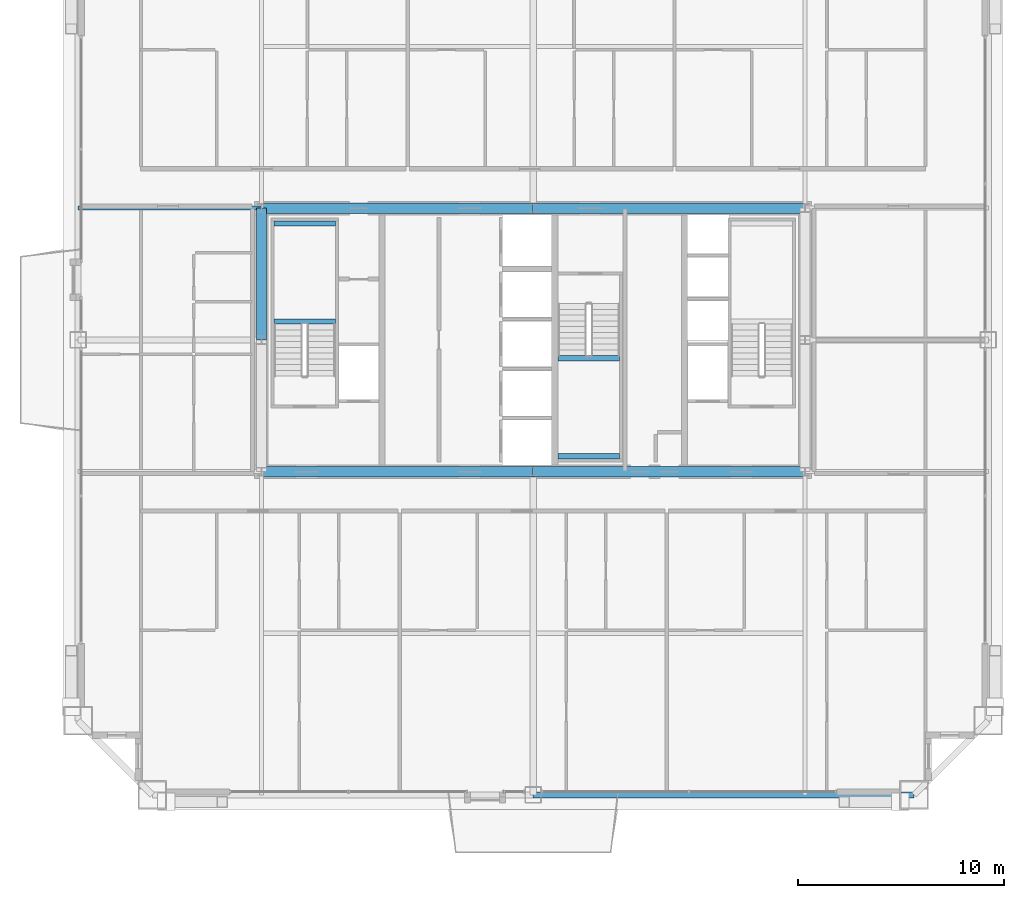
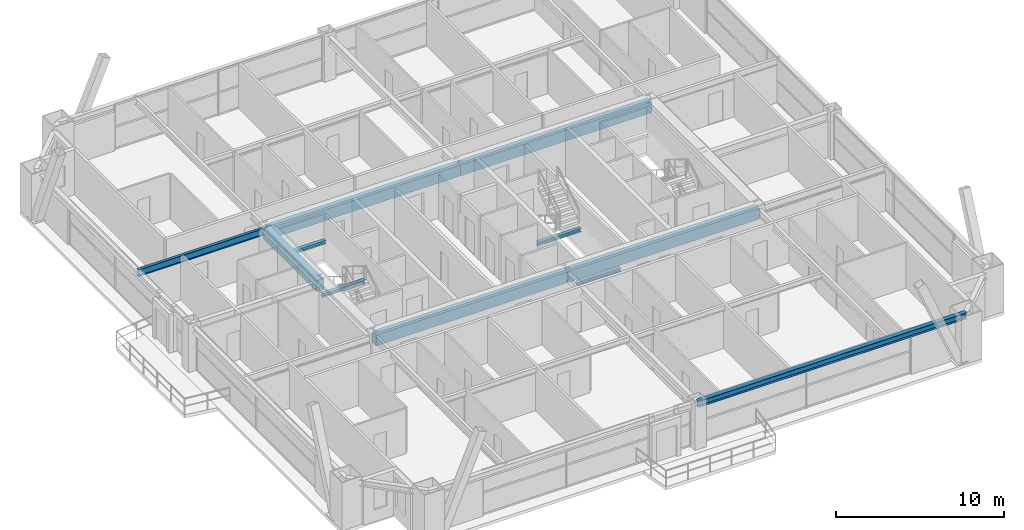
# One storey, part 14 of 42: 11 beams.
"""IFC4 building model written with IfcOpenShell, lengths in metres."""

from ifc_helpers import new_model, si_unit, direction, frame, origin, origin_2d, place, context, subcontext, project, spatial, rectangle, i_section, extrude, source, transform, mapped, material, material_profile, profile_set, type_object, element, save


model = new_model("IFC4")

# Units and contexts
model_context = context("Model", 3, precision=1e-05, world=origin(), true_north=direction((0.0, 1.0)))
body_context = subcontext(model_context, "Body", "Model", "MODEL_VIEW")
ifc_project = project(units=[si_unit("LENGTHUNIT", "METRE"), si_unit("AREAUNIT", "SQUARE_METRE"), si_unit("VOLUMEUNIT", "CUBIC_METRE"), si_unit("PLANEANGLEUNIT", "RADIAN"), si_unit("MASSUNIT", "GRAM", prefix="KILO"), si_unit("THERMODYNAMICTEMPERATUREUNIT", "KELVIN"), si_unit("POWERUNIT", "WATT")], contexts=[model_context])

# Site, building, storey
site_placement = place(None, origin())
site = spatial("IfcSite", under=ifc_project, at=site_placement, CompositionType="ELEMENT")
building_placement = place(site_placement, origin())
building = spatial("IfcBuilding", under=site, at=building_placement, Name="Yuzanri Waterfront Tower", CompositionType="ELEMENT")
storey_placement = place(building_placement, frame((0.0, 0.0, 205.5)))
storey = spatial("IfcBuildingStorey", under=building, at=storey_placement, Name="L54", CompositionType="ELEMENT", Elevation=205.5)

# Beams
ifc_material_1 = material(Name="Steel Q355B", Category="steel")
ifc_material_profile_1 = material_profile(ifc_material_1, i_section(OverallWidth=0.300048828125, OverallDepth=0.43994140625, WebThickness=0.010986328125, FlangeThickness=0.01806640625, at=origin_2d()), Name="HM 440x300x11x18")
ifc_profile_set_1 = profile_set([ifc_material_profile_1], Name="Steel Q355B")
beam_type_1 = type_object("IfcBeamType", Name="Perimeter Spandrel Q355B HM 440x300", PredefinedType="SPANDREL", material=ifc_profile_set_1)
shared_shape_1 = source(origin(), body_context, "Body", "SweptSolid", [
    extrude(i_section(OverallWidth=0.300048828125, OverallDepth=0.43994140625, WebThickness=0.010986328125, FlangeThickness=0.01806640625, at=origin_2d()), origin(), (0.0, 0.0, 1.0), 18.5),
])
beam_1_placement = place(storey_placement, frame((37.0, 3.699951171875, 3.06005859375), z_axis=(1.0, 0.0, 0.0), x_axis=(0.0, 1.0, 0.0)))
element("IfcBeam", 1, at=beam_1_placement, inside=storey, type_object=beam_type_1, Name="L54 Perimeter Spandrel S2-S3", PredefinedType="SPANDREL", context=body_context, shape_type="MappedRepresentation", body=[
    mapped(shared_shape_1, transform((0.0, 0.0, 0.0), scale=1.0)),
])
ifc_material_2 = material(Name="Steel Q355B", Category="steel")
ifc_material_profile_2 = material_profile(ifc_material_2, i_section(OverallWidth=0.199951171875, OverallDepth=0.5, WebThickness=0.010009765625, FlangeThickness=0.01611328125, at=origin_2d()), Name="HN 500x200x10x16")
ifc_profile_set_2 = profile_set([ifc_material_profile_2], Name="Steel Q355B")
beam_type_2 = type_object("IfcBeamType", Name="Secondary Floor Beam Q355B HN 500x200", PredefinedType="BEAM", material=ifc_profile_set_2)
shared_shape_2 = source(origin(), body_context, "Body", "SweptSolid", [
    extrude(i_section(OverallWidth=0.199951171875, OverallDepth=0.5, WebThickness=0.010009765625, FlangeThickness=0.01611328125, at=origin_2d()), origin(), (0.0, 0.0, 1.0), 8.900146484375),
])
beam_2_placement = place(storey_placement, frame((23.800048828125, 32.199951171875, 3.030029296875), z_axis=(-1.0, 0.0, 0.0), x_axis=(0.0, -1.0, 0.0)))
element("IfcBeam", 2, at=beam_2_placement, inside=storey, type_object=beam_type_2, Name="L54 West-North Core Line Beam", PredefinedType="BEAM", context=body_context, shape_type="MappedRepresentation", body=[
    mapped(shared_shape_2, transform((0.0, 0.0, 0.0), scale=1.0)),
])
ifc_material_3 = material(Name="Concrete C50", Category="concrete")
ifc_material_profile_3 = material_profile(ifc_material_3, rectangle(XDim=0.5, YDim=0.800048828125, at=origin_2d()), Name="RC 500x800")
ifc_profile_set_3 = profile_set([ifc_material_profile_3], Name="Concrete C50")
beam_type_3 = type_object("IfcBeamType", Name="Core Coupling Lintel Concrete C50 500x800", PredefinedType="LINTEL", material=ifc_profile_set_3)
shared_shape_3 = source(origin(), body_context, "Body", "SweptSolid", [
    extrude(rectangle(XDim=0.5, YDim=0.800048828125, at=origin_2d()), origin(), (0.0, 0.0, 1.0), 13.199951171875),
])
for number, where, z_axis, x_axis, name in (
    (3, (23.800048828125, 19.39990234375, 2.8798828125), (1.0, 0.0, 0.0), (0.0, 1.0, 0.0), "L54 Core Tie Beam CS1"),
    (4, (37.0, 19.39990234375, 2.8798828125), (1.0, 0.0, 0.0), (0.0, 1.0, 0.0), "L54 Core Tie Beam CS2"),
    (5, (23.800048828125, 32.199951171875, 2.8798828125), (1.0, 0.0, 0.0), (0.0, 1.0, 0.0), "L54 Core Tie Beam CN1"),
    (6, (37.0, 32.199951171875, 2.8798828125), (1.0, 0.0, 0.0), (0.0, 1.0, 0.0), "L54 Core Tie Beam CN2"),
):
    element("IfcBeam", number, at=place(storey_placement, frame(where, z_axis=z_axis, x_axis=x_axis)), inside=storey, type_object=beam_type_3, Name=name, PredefinedType="LINTEL", context=body_context, shape_type="MappedRepresentation", body=[
        mapped(shared_shape_3, transform((0.0, 0.0, 0.0), scale=1.0)),
    ])
shared_shape_4 = source(origin(), body_context, "Body", "SweptSolid", [
    extrude(rectangle(XDim=0.5, YDim=0.800048828125, at=origin_2d()), origin(), (0.0, 0.0, 1.0), 6.39990234375),
])
beam_3_placement = place(storey_placement, frame((23.800048828125, 25.800048828125, 2.8798828125), z_axis=(0.0, 1.0, 0.0), x_axis=(-1.0, 0.0, 0.0)))
element("IfcBeam", 7, at=beam_3_placement, inside=storey, type_object=beam_type_3, Name="L54 Core Tie Beam CW2", PredefinedType="LINTEL", context=body_context, shape_type="MappedRepresentation", body=[
    mapped(shared_shape_4, transform((0.0, 0.0, 0.0), scale=1.0)),
])
ifc_material_4 = material(Name="Steel Q355B", Category="steel")
ifc_material_profile_4 = material_profile(ifc_material_4, i_section(OverallWidth=0.25, OverallDepth=0.25, WebThickness=0.009033203125, FlangeThickness=0.013916015625, at=origin_2d()), Name="HW 250x250x9x14")
ifc_profile_set_4 = profile_set([ifc_material_profile_4], Name="Steel Q355B")
beam_type_4 = type_object("IfcBeamType", Name="Stair Landing Support Beam Q355B HW 250x250", PredefinedType="BEAM", material=ifc_profile_set_4)
shared_shape_5 = source(origin(), body_context, "Body", "SweptSolid", [
    extrude(i_section(OverallWidth=0.25, OverallDepth=0.25, WebThickness=0.009033203125, FlangeThickness=0.013916015625, at=origin_2d()), origin(), (0.0, 0.0, 1.0), 3.0),
])
for number, where, z_axis, x_axis, name in (
    (8, (24.39990234375, 26.68994140625, 1.425048828125), (1.0, 0.0, 0.0), (0.0, 1.0, 0.0), "L54 Stair Landing Support Beam ST-01-L54-L1-1"),
    (9, (24.39990234375, 31.449951171875, 1.425048828125), (1.0, 0.0, 0.0), (0.0, 1.0, 0.0), "L54 Stair Landing Support Beam ST-01-L54-L1-2"),
    (10, (38.199951171875, 20.14990234375, 1.425048828125), (1.0, 0.0, 0.0), (0.0, 1.0, 0.0), "L54 Stair Landing Support Beam ST-03-L54-L1-1"),
    (11, (38.199951171875, 24.909912109375, 1.425048828125), (1.0, 0.0, 0.0), (0.0, 1.0, 0.0), "L54 Stair Landing Support Beam ST-03-L54-L1-2"),
):
    element("IfcBeam", number, at=place(storey_placement, frame(where, z_axis=z_axis, x_axis=x_axis)), inside=storey, type_object=beam_type_4, Name=name, PredefinedType="BEAM", context=body_context, shape_type="MappedRepresentation", body=[
        mapped(shared_shape_5, transform((0.0, 0.0, 0.0), scale=1.0)),
    ])

save(model, "model.ifc")
